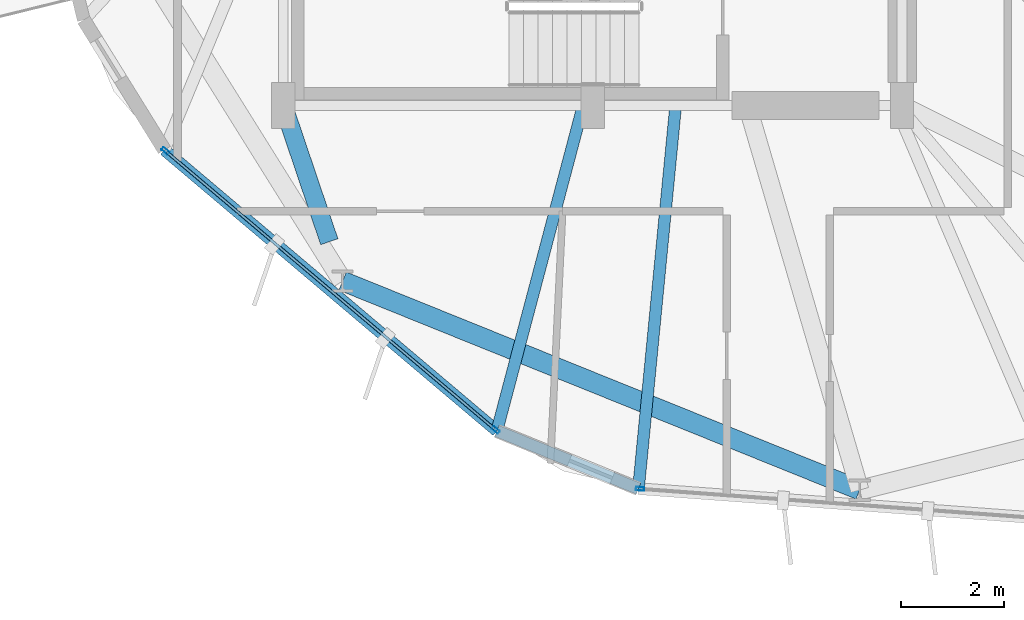
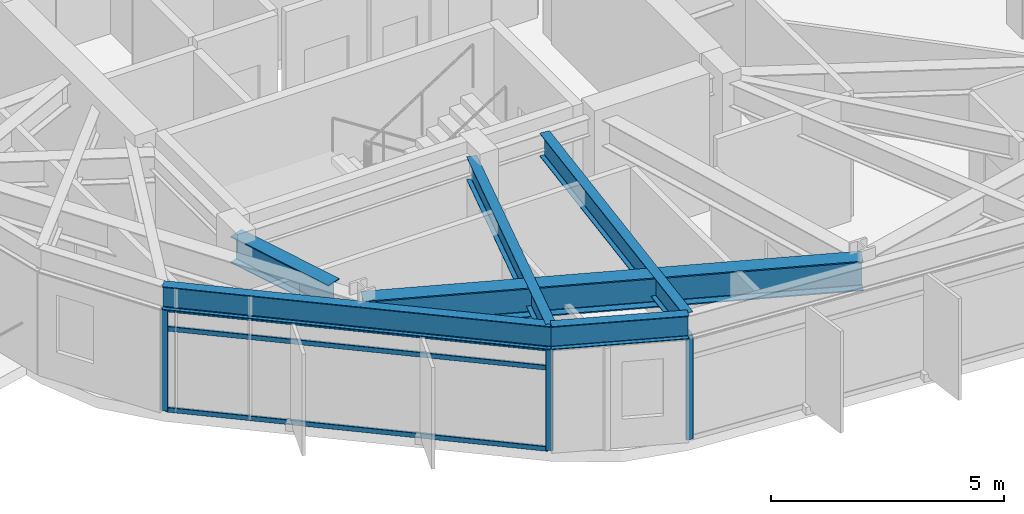
# One storey, part 2 of 21: 6 beams, 6 members, 2 elements without a shape of their own.
"""IFC4 building model written with IfcOpenShell, lengths in metres."""

import ifcopenshell
import ifcopenshell.guid

model = None  # the IFC model being written
_history = None  # IfcOwnerHistory: only IFC2X3 demands one
_inside = {}  # id of a spatial element -> (the spatial element, [elements in it])
_under = {}  # id of a project, library or spatial element -> (it, [spatial elements below it])
_declared = {}  # id of a project -> (the project, [libraries it declares])
_typed = {}  # id of a type object -> (the type object, [elements of that type])
_made_of = {}  # id of a material, layer set ... -> (it, [elements and type objects made of it])


def new_model(schema):
    """Start an empty IFC model of exactly this schema.

    Asked for "IFC4X3", IfcOpenShell would pick the latest addendum, in which some entities
    have other attributes; the version numbers below select the first issue.
    IFC2X3 requires an IfcOwnerHistory on every rooted entity: one is made here for all.
    """
    global model, _history
    if schema == "IFC4X3":
        model = ifcopenshell.file(schema_version=(4, 3, 0, 0))
    else:
        model = ifcopenshell.file(schema=schema)
    _inside.clear()
    _under.clear()
    _declared.clear()
    _typed.clear()
    _made_of.clear()
    _history = None
    if model.schema == "IFC2X3":
        org = make("IfcOrganization", Name="unknown")
        user = make(
            "IfcPersonAndOrganization",
            ThePerson=make("IfcPerson", FamilyName="unknown"),
            TheOrganization=org,
        )
        app = make(
            "IfcApplication",
            ApplicationDeveloper=org,
            Version="unknown",
            ApplicationFullName="unknown",
            ApplicationIdentifier="unknown",
        )
        _history = make(
            "IfcOwnerHistory",
            OwningUser=user,
            OwningApplication=app,
            ChangeAction="ADDED",
            CreationDate=0,
        )
    return model


def make(cls, **values):
    """One entity of the class cls with the attributes given. An attribute that is None is left unset."""
    return model.create_entity(
        cls, **{name: value for name, value in values.items() if value is not None}
    )


def rooted(cls, **values):
    """An entity with a GlobalId (a new one), such as an element, a storey or a relation."""
    return make(cls, GlobalId=ifcopenshell.guid.new(), OwnerHistory=_history, **values)


def si_unit(unit_type, name, prefix=None):
    """IfcSIUnit, for example si_unit("LENGTHUNIT", "METRE", prefix="MILLI")."""
    return make("IfcSIUnit", UnitType=unit_type, Prefix=prefix, Name=name)


def assignment(units):
    """IfcUnitAssignment: the units of a project."""
    return None if units is None else make("IfcUnitAssignment", Units=units)


def point(xyz):
    """IfcCartesianPoint."""
    return None if xyz is None else make("IfcCartesianPoint", Coordinates=xyz)


def direction(xyz):
    """IfcDirection."""
    return None if xyz is None else make("IfcDirection", DirectionRatios=xyz)


def frame(location, z_axis=None, x_axis=None):
    """IfcAxis2Placement3D, a coordinate frame: its origin and axes. An axis left out is left unset."""
    return make(
        "IfcAxis2Placement3D",
        Location=point(location),
        Axis=direction(z_axis),
        RefDirection=direction(x_axis),
    )


def frame_2d(location, x_axis=None):
    """IfcAxis2Placement2D, a coordinate frame in the plane: its origin and x axis."""
    return make(
        "IfcAxis2Placement2D", Location=point(location), RefDirection=direction(x_axis)
    )


def origin():
    """The frame at (0, 0, 0) with its axes left unset."""
    return frame((0.0, 0.0, 0.0))


def origin_2d():
    """The frame at (0, 0) in the plane with its x axis left unset."""
    return frame_2d((0.0, 0.0))


def place(relative_to, where):
    """IfcLocalPlacement: puts the frame where relative to a parent placement (None: the world)."""
    return make(
        "IfcLocalPlacement", PlacementRelTo=relative_to, RelativePlacement=where
    )


def context(
    kind, dimensions, precision=None, world=None, true_north=None, identifier=None
):
    """IfcGeometricRepresentationContext, for example the 3D "Model" context."""
    return make(
        "IfcGeometricRepresentationContext",
        ContextIdentifier=identifier,
        ContextType=kind,
        CoordinateSpaceDimension=dimensions,
        Precision=precision,
        WorldCoordinateSystem=world,
        TrueNorth=true_north,
    )


def subcontext(parent, identifier, kind, view, scale=None):
    """IfcGeometricRepresentationSubContext, for example "Body" below "Model"."""
    return make(
        "IfcGeometricRepresentationSubContext",
        ContextIdentifier=identifier,
        ContextType=kind,
        ParentContext=parent,
        TargetScale=scale,
        TargetView=view,
    )


def project(units=None, contexts=None):
    """IfcProject with its units and contexts."""
    return rooted(
        "IfcProject",
        Name="project",
        RepresentationContexts=contexts,
        UnitsInContext=assignment(units),
    )


def spatial(cls, under=None, at=None, **own):
    """A site, building, storey or space (cls), placed at a placement, below another one or the project."""
    s = rooted(cls, ObjectPlacement=at, **own)
    if under is not None:
        _under.setdefault(under.id(), (under, []))[1].append(s)
    return s


def profile(cls, at=None, kind="AREA", **sizes):
    """A parametric profile (cls). Its sizes go by their IFC names, for example OverallWidth=200.0."""
    return make(cls, ProfileType=kind, Position=at, **sizes)


def hollow_rectangle(**sizes):
    """IfcRectangleHollowProfileDef."""
    return profile("IfcRectangleHollowProfileDef", **sizes)


def i_section(**sizes):
    """IfcIShapeProfileDef."""
    return profile("IfcIShapeProfileDef", **sizes)


def extrude(swept, where, along, depth):
    """IfcExtrudedAreaSolid: the profile swept, set in the frame where, extruded along a direction by depth."""
    return make(
        "IfcExtrudedAreaSolid",
        SweptArea=swept,
        Position=where,
        ExtrudedDirection=direction(along),
        Depth=depth,
    )


def shape(context_of_items, identifier, shape_type, items):
    """IfcShapeRepresentation: the items that make up one representation, for example the "Body"."""
    return make(
        "IfcShapeRepresentation",
        ContextOfItems=context_of_items,
        RepresentationIdentifier=identifier,
        RepresentationType=shape_type,
        Items=items,
    )


def material(Name=None, Category=None):
    """IfcMaterial."""
    return make("IfcMaterial", Name=Name, Category=Category)


def layer(
    of_material, thickness, ventilated=None, Name=None, Category=None, Priority=None
):
    """IfcMaterialLayer: one layer of a wall or slab, of a material (None: an air gap)."""
    return make(
        "IfcMaterialLayer",
        Material=of_material,
        LayerThickness=thickness,
        IsVentilated=ventilated,
        Name=Name,
        Category=Category,
        Priority=Priority,
    )


def layer_set(layers, Name=None):
    """IfcMaterialLayerSet."""
    return make("IfcMaterialLayerSet", MaterialLayers=layers, LayerSetName=Name)


def material_profile(
    of_material, cross_section, Name=None, Category=None, Priority=None
):
    """IfcMaterialProfile: a cross section and its material."""
    return make(
        "IfcMaterialProfile",
        Name=Name,
        Material=of_material,
        Profile=cross_section,
        Priority=Priority,
        Category=Category,
    )


def profile_set(profiles, Name=None, composite=None):
    """IfcMaterialProfileSet."""
    return make(
        "IfcMaterialProfileSet",
        Name=Name,
        MaterialProfiles=profiles,
        CompositeProfile=composite,
    )


def made_of(thing, what):
    """Note that an element or type object is made of a material, layer set ...; save() writes the relation."""
    if what is not None:
        _made_of.setdefault(what.id(), (what, []))[1].append(thing)
    return thing


def type_object(cls, material=None, **own):
    """A type object (cls), such as IfcWallType, which elements share."""
    return made_of(rooted(cls, **own), material)


def element(
    cls,
    number,
    at=None,
    inside=None,
    cuts=None,
    type_object=None,
    material=None,
    context=None,
    identifier="Body",
    shape_type=None,
    held_by="IfcProductDefinitionShape",
    body=None,
    shapes=None,
    **own,
):
    """One element of the class cls, such as IfcWall. Its Tag is "e" and its number.

    at: its placement. inside: the storey or other place that contains it. cuts: it is an
    opening in that element (IfcRelVoidsElement). A single representation is given by context,
    identifier, shape_type and body (its items); several are given by shapes. held_by: the class
    of the entity that holds the representations. save() writes the other relations.
    """
    e = rooted(cls, Tag="e%d" % number, ObjectPlacement=at, **own)
    if body is not None:
        shapes = [shape(context, identifier, shape_type, body)]
    if shapes is not None:
        e.Representation = make(held_by, Representations=shapes)
    if inside is not None:
        _inside.setdefault(inside.id(), (inside, []))[1].append(e)
    if cuts is not None:
        rooted(
            "IfcRelVoidsElement", RelatingBuildingElement=cuts, RelatedOpeningElement=e
        )
    if type_object is not None:
        _typed.setdefault(type_object.id(), (type_object, []))[1].append(e)
    return made_of(e, material)


def aggregate(whole, parts):
    """IfcRelAggregates: a whole, such as a stair, and the parts it consists of."""
    return rooted("IfcRelAggregates", RelatingObject=whole, RelatedObjects=parts)


def save(model, path):
    """Write the relations noted so far, then the file.

    IfcRelAggregates (storeys below a building ...), IfcRelContainedInSpatialStructure (elements
    in a storey), IfcRelDefinesByType, IfcRelAssociatesMaterial and IfcRelDeclares: one each for
    every whole, place, type object, material and project.
    """
    for whole, parts in _under.values():
        aggregate(whole, parts)
    for where, things in _inside.values():
        rooted(
            "IfcRelContainedInSpatialStructure",
            RelatedElements=things,
            RelatingStructure=where,
        )
    for kind, things in _typed.values():
        rooted("IfcRelDefinesByType", RelatedObjects=things, RelatingType=kind)
    for what, things in _made_of.values():
        rooted("IfcRelAssociatesMaterial", RelatedObjects=things, RelatingMaterial=what)
    for by, libraries in _declared.values():
        rooted("IfcRelDeclares", RelatingContext=by, RelatedDefinitions=libraries)
    model.write(path)


model = new_model("IFC4")

# Units and contexts
model_context = context("Model", 3, precision=1e-05, world=origin(), true_north=direction((0.0, 1.0)))
body_context = subcontext(model_context, "Body", "Model", "MODEL_VIEW")
ifc_project = project(units=[si_unit("LENGTHUNIT", "METRE"), si_unit("AREAUNIT", "SQUARE_METRE"), si_unit("VOLUMEUNIT", "CUBIC_METRE"), si_unit("PLANEANGLEUNIT", "RADIAN"), si_unit("MASSUNIT", "GRAM", prefix="KILO")], contexts=[model_context])

# Site, building, storey
site_placement = place(None, origin())
site = spatial("IfcSite", under=ifc_project, at=site_placement, CompositionType="ELEMENT")
building_placement = place(site_placement, origin())
building = spatial("IfcBuilding", under=site, at=building_placement, Name="Soratama Intermodal Tower", CompositionType="ELEMENT")
storey_placement = place(building_placement, frame((0.0, 0.0, 153.39990234375)))
storey = spatial("IfcBuildingStorey", under=building, at=storey_placement, Name="L37", CompositionType="ELEMENT", Elevation=153.39990234375)

# Beams
ifc_material_1 = material(Name="Structural steel ASTM A992 Grade 50", Category="steel")
ifc_material_profile_1 = material_profile(ifc_material_1, i_section(OverallWidth=0.35498046875, OverallDepth=0.695068359375, WebThickness=0.015380859375, FlangeThickness=0.02490234375, FilletRadius=0.01611328125, at=origin_2d()), Name="W27X146")
ifc_profile_set_1 = profile_set([ifc_material_profile_1], Name="Structural steel ASTM A992 Grade 50")
beam_type_1 = type_object("IfcBeamType", Name="BM-RING-W27X146", PredefinedType="BEAM", material=ifc_profile_set_1)
beam_1_placement = place(storey_placement, frame((32.60009765625, 15.0, 2.95263671875), z_axis=(0.32013816754, -0.947370863856, 0.0), x_axis=(0.947370863856, 0.32013816754, 0.0)))
element("IfcBeam", 1, at=beam_1_placement, inside=storey, type_object=beam_type_1, Name="BM-L37-RAD-07", PredefinedType="BEAM", context=body_context, shape_type="SweptSolid", body=[
    extrude(i_section(OverallWidth=0.35498046875, OverallDepth=0.695068359375, WebThickness=0.015380859375, FlangeThickness=0.02490234375, FilletRadius=0.01611328125, at=origin_2d()), origin(), (0.0, 0.0, 1.0), 2.788818359375),
])
ifc_material_2 = material(Name="Structural steel ASTM A992 Grade 50", Category="steel")
ifc_material_profile_2 = material_profile(ifc_material_2, i_section(OverallWidth=0.382080078125, OverallDepth=0.779052734375, WebThickness=0.01806640625, FlangeThickness=0.030029296875, FilletRadius=0.01806640625, at=origin_2d()), Name="W30X191")
ifc_profile_set_2 = profile_set([ifc_material_profile_2], Name="Structural steel ASTM A992 Grade 50")
beam_type_2 = type_object("IfcBeamType", Name="BM-RING-W30X191", PredefinedType="BEAM", material=ifc_profile_set_2)
beam_2_placement = place(storey_placement, frame((33.7509765625, 11.593994140625, 2.91064453125), z_axis=(0.927202491827, -0.374560461275, 0.0), x_axis=(0.374560461275, 0.927202491827, 0.0)))
element("IfcBeam", 2, at=beam_2_placement, inside=storey, type_object=beam_type_2, Name="BM-L37-RING-07", PredefinedType="BEAM", context=body_context, shape_type="SweptSolid", body=[
    extrude(i_section(OverallWidth=0.382080078125, OverallDepth=0.779052734375, WebThickness=0.01806640625, FlangeThickness=0.030029296875, FilletRadius=0.01806640625, at=origin_2d()), origin(), (0.0, 0.0, 1.0), 10.8154296875),
])
ifc_material_3 = material(Name="Structural steel ASTM A992 Grade 50", Category="steel")
ifc_material_profile_3 = material_profile(ifc_material_3, i_section(OverallWidth=0.22900390625, OverallDepth=0.612060546875, WebThickness=0.011962890625, FlangeThickness=0.01953125, FilletRadius=0.012939453125, at=origin_2d()), Name="W24X84")
ifc_profile_set_3 = profile_set([ifc_material_profile_3], Name="Structural steel ASTM A992 Grade 50")
beam_type_3 = type_object("IfcBeamType", Name="BM-SPN-W24X84", PredefinedType="SPANDREL", material=ifc_profile_set_3)
beam_3_placement = place(storey_placement, frame((30.294921875, 14.136962890625, 2.994140625), z_axis=(0.763805228499, -0.645446800998, 0.0), x_axis=(0.645446800998, 0.763805228499, 0.0)))
element("IfcBeam", 3, at=beam_3_placement, inside=storey, type_object=beam_type_3, Name="BS-L37-F06", PredefinedType="SPANDREL", context=body_context, shape_type="SweptSolid", body=[
    extrude(i_section(OverallWidth=0.22900390625, OverallDepth=0.612060546875, WebThickness=0.011962890625, FlangeThickness=0.01953125, FilletRadius=0.012939453125, at=origin_2d()), origin(), (0.0, 0.0, 1.0), 8.440673828125),
])
beam_4_placement = place(storey_placement, frame((36.741943359375, 8.68896484375, 2.994140625), z_axis=(0.925848231429, -0.377895557476, 0.0), x_axis=(0.377895557476, 0.925848231429, 0.0)))
element("IfcBeam", 4, at=beam_4_placement, inside=storey, type_object=beam_type_3, Name="BS-L37-CRN06", PredefinedType="SPANDREL", context=body_context, shape_type="SweptSolid", body=[
    extrude(i_section(OverallWidth=0.22900390625, OverallDepth=0.612060546875, WebThickness=0.011962890625, FlangeThickness=0.01953125, FilletRadius=0.012939453125, at=origin_2d()), origin(), (0.0, 0.0, 1.0), 2.966064453125),
])
ifc_material_4 = material(Name="Structural steel ASTM A992 Grade 50", Category="steel")
ifc_material_profile_4 = material_profile(ifc_material_4, i_section(OverallWidth=0.22900390625, OverallDepth=0.612060546875, WebThickness=0.011962890625, FlangeThickness=0.01953125, FilletRadius=0.012939453125, at=origin_2d()), Name="W24X84")
ifc_profile_set_4 = profile_set([ifc_material_profile_4], Name="Structural steel ASTM A992 Grade 50")
beam_type_4 = type_object("IfcBeamType", Name="BM-TIE-W24X84", PredefinedType="BEAM", material=ifc_profile_set_4)
beam_5_placement = place(storey_placement, frame((38.405029296875, 14.9609375, 2.994140625), z_axis=(-0.256304135129, -0.966596187824, 0.0), x_axis=(0.966596187824, -0.256304135129, 0.0)))
element("IfcBeam", 5, at=beam_5_placement, inside=storey, type_object=beam_type_4, Name="BM-L37-TIE1-06", PredefinedType="BEAM", context=body_context, shape_type="SweptSolid", body=[
    extrude(i_section(OverallWidth=0.22900390625, OverallDepth=0.612060546875, WebThickness=0.011962890625, FlangeThickness=0.01953125, FilletRadius=0.012939453125, at=origin_2d()), origin(), (0.0, 0.0, 1.0), 6.48876953125),
])
beam_6_placement = place(storey_placement, frame((40.2060546875, 14.9599609375, 2.994140625), z_axis=(-0.096681393018, -0.995315381296, 0.0), x_axis=(0.995315381296, -0.096681393018, 0.0)))
element("IfcBeam", 6, at=beam_6_placement, inside=storey, type_object=beam_type_4, Name="BM-L37-TIE0-07", PredefinedType="BEAM", context=body_context, shape_type="SweptSolid", body=[
    extrude(i_section(OverallWidth=0.22900390625, OverallDepth=0.612060546875, WebThickness=0.011962890625, FlangeThickness=0.01953125, FilletRadius=0.012939453125, at=origin_2d()), origin(), (0.0, 0.0, 1.0), 7.4267578125),
])

# Curtain wall, members
ifc_material_5 = material(Name="Double-glazed aluminium curtain wall", Category="aluminium")
ifc_layer = layer(ifc_material_5, 0.159912109375)
ifc_layer_set = layer_set([ifc_layer], Name="Double-glazed aluminium curtain wall")
curtain_wall_type = type_object("IfcCurtainWallType", Name="CW-SYS-4", PredefinedType="NOTDEFINED", material=ifc_layer_set)
curtain_wall_1_placement = place(storey_placement, origin())
curtain_wall_1 = element("IfcCurtainWall", 7, at=curtain_wall_1_placement, inside=storey, type_object=curtain_wall_type, Name="L37 Faceted Curtain Wall F06", PredefinedType="NOTDEFINED")
ifc_material_6 = material(Name="Anodised aluminium AA 6063-T6", Category="aluminium")
ifc_material_profile_5 = material_profile(ifc_material_6, hollow_rectangle(XDim=0.070068359375, YDim=0.159912109375, WallThickness=0.0048828125, InnerFilletRadius=0.0048828125, OuterFilletRadius=0.010009765625, at=origin_2d()), Name="CWM160X70X5")
ifc_profile_set_5 = profile_set([ifc_material_profile_5], Name="Anodised aluminium AA 6063-T6")
member_type_1 = type_object("IfcMemberType", Name="MT-CWM-4", PredefinedType="MULLION", material=ifc_profile_set_5)
member_1_placement = place(storey_placement, frame((30.31787109375, 14.117919921875, 0.0), z_axis=(0.0, 0.0, 1.0), x_axis=(0.645452960666, 0.763800023284, 0.0)))
member_1 = element("IfcMember", 8, at=member_1_placement, type_object=member_type_1, Name="CW-4 mullion 1", PredefinedType="MULLION", context=body_context, shape_type="SweptSolid", body=[
    extrude(hollow_rectangle(XDim=0.070068359375, YDim=0.159912109375, WallThickness=0.0048828125, InnerFilletRadius=0.0048828125, OuterFilletRadius=0.010009765625, at=origin_2d()), origin(), (0.0, 0.0, 1.0), 2.67919921875),
])
member_2_placement = place(storey_placement, frame((36.71875, 8.708740234375, 0.0), z_axis=(0.0, 0.0, 1.0), x_axis=(0.645452960666, 0.763800023284, 0.0)))
member_2 = element("IfcMember", 9, at=member_2_placement, type_object=member_type_1, Name="CW-4 mullion 2", PredefinedType="MULLION", context=body_context, shape_type="SweptSolid", body=[
    extrude(hollow_rectangle(XDim=0.070068359375, YDim=0.159912109375, WallThickness=0.0048828125, InnerFilletRadius=0.0048828125, OuterFilletRadius=0.010009765625, at=origin_2d()), origin(), (0.0, 0.0, 1.0), 2.67919921875),
])

# Curtain wall, member
curtain_wall_2_placement = place(storey_placement, origin())
curtain_wall_2 = element("IfcCurtainWall", 10, at=curtain_wall_2_placement, inside=storey, type_object=curtain_wall_type, Name="L37 Faceted Curtain Wall F07", PredefinedType="NOTDEFINED")
member_3_placement = place(storey_placement, frame((39.518310546875, 7.566162109375, 0.0), z_axis=(0.0, 0.0, 1.0), x_axis=(0.073242369794, 0.997314170794, 0.0)))
member_3 = element("IfcMember", 11, at=member_3_placement, type_object=member_type_1, Name="CW-4 mullion 1", PredefinedType="MULLION", context=body_context, shape_type="SweptSolid", body=[
    extrude(hollow_rectangle(XDim=0.070068359375, YDim=0.159912109375, WallThickness=0.0048828125, InnerFilletRadius=0.0048828125, OuterFilletRadius=0.010009765625, at=origin_2d()), origin(), (0.0, 0.0, 1.0), 2.67919921875),
])
aggregate(curtain_wall_2, [member_3])

# Member
ifc_material_7 = material(Name="Anodised aluminium AA 6063-T6", Category="aluminium")
ifc_material_profile_6 = material_profile(ifc_material_7, hollow_rectangle(XDim=0.06005859375, YDim=0.1298828125, WallThickness=0.0048828125, InnerFilletRadius=0.0048828125, OuterFilletRadius=0.010009765625, at=origin_2d()), Name="CWT130X60X5")
ifc_profile_set_6 = profile_set([ifc_material_profile_6], Name="Anodised aluminium AA 6063-T6")
member_type_2 = type_object("IfcMemberType", Name="TT-CWT-2", PredefinedType="USERDEFINED", material=ifc_profile_set_6)
member_4_placement = place(storey_placement, frame((30.3408203125, 14.098388671875, 0.030029296875), z_axis=(0.763796831098, -0.645456738135, 0.0), x_axis=(0.645456738135, 0.763796831098, 0.0)))
member_4 = element("IfcMember", 12, at=member_4_placement, type_object=member_type_2, Name="CW-4 transom 1.1", ObjectType="TRANSOM", PredefinedType="USERDEFINED", context=body_context, shape_type="SweptSolid", body=[
    extrude(hollow_rectangle(XDim=0.06005859375, YDim=0.1298828125, WallThickness=0.0048828125, InnerFilletRadius=0.0048828125, OuterFilletRadius=0.010009765625, at=origin_2d()), origin(), (0.0, 0.0, 1.0), 8.3203125),
])

member_5_placement = place(storey_placement, frame((30.3408203125, 14.098388671875, 2.150146484375), z_axis=(0.763796831098, -0.645456738135, 0.0), x_axis=(0.645456738135, 0.763796831098, 0.0)))
member_5 = element("IfcMember", 13, at=member_5_placement, type_object=member_type_2, Name="CW-4 transom 1.2", ObjectType="TRANSOM", PredefinedType="USERDEFINED", context=body_context, shape_type="SweptSolid", body=[
    extrude(hollow_rectangle(XDim=0.06005859375, YDim=0.1298828125, WallThickness=0.0048828125, InnerFilletRadius=0.0048828125, OuterFilletRadius=0.010009765625, at=origin_2d()), origin(), (0.0, 0.0, 1.0), 8.3203125),
])

member_6_placement = place(storey_placement, frame((30.3408203125, 14.098388671875, 2.649169921875), z_axis=(0.763796831098, -0.645456738135, 0.0), x_axis=(0.645456738135, 0.763796831098, 0.0)))
member_6 = element("IfcMember", 14, at=member_6_placement, type_object=member_type_2, Name="CW-4 transom 1.3", ObjectType="TRANSOM", PredefinedType="USERDEFINED", context=body_context, shape_type="SweptSolid", body=[
    extrude(hollow_rectangle(XDim=0.06005859375, YDim=0.1298828125, WallThickness=0.0048828125, InnerFilletRadius=0.0048828125, OuterFilletRadius=0.010009765625, at=origin_2d()), origin(), (0.0, 0.0, 1.0), 8.3203125),
])

aggregate(curtain_wall_1, [member_1, member_2, member_4, member_5, member_6])

save(model, "model.ifc")
